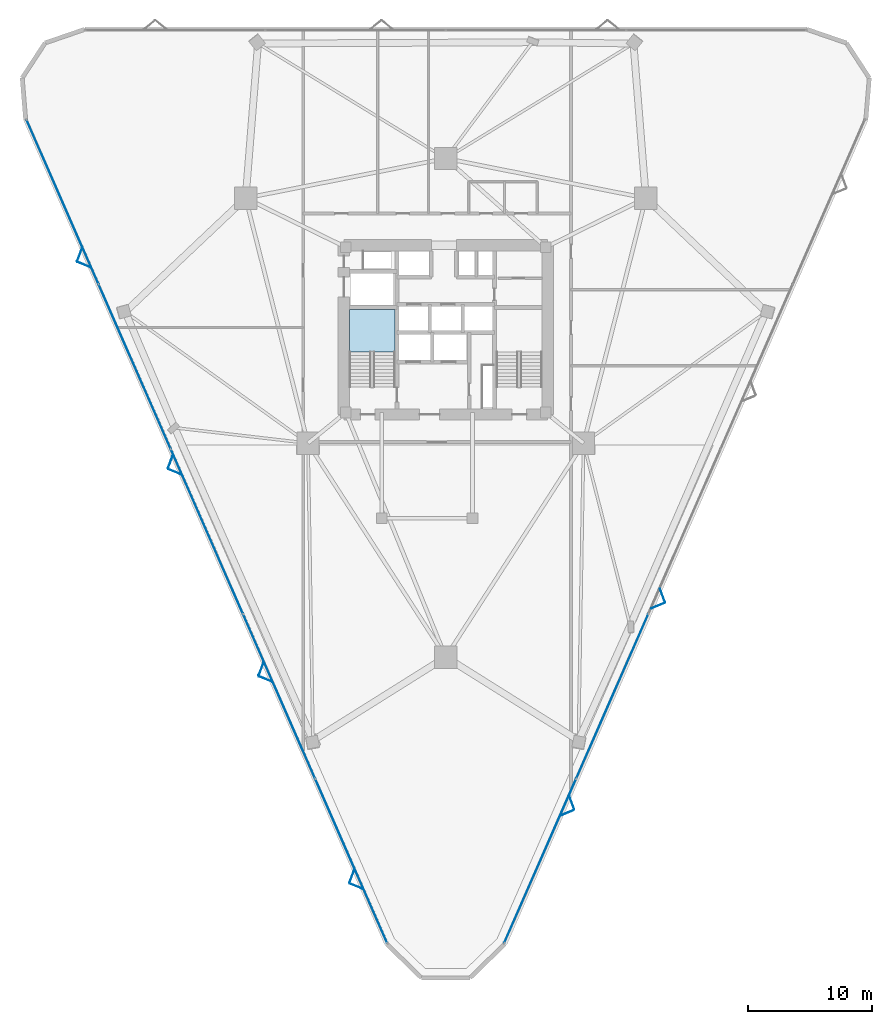
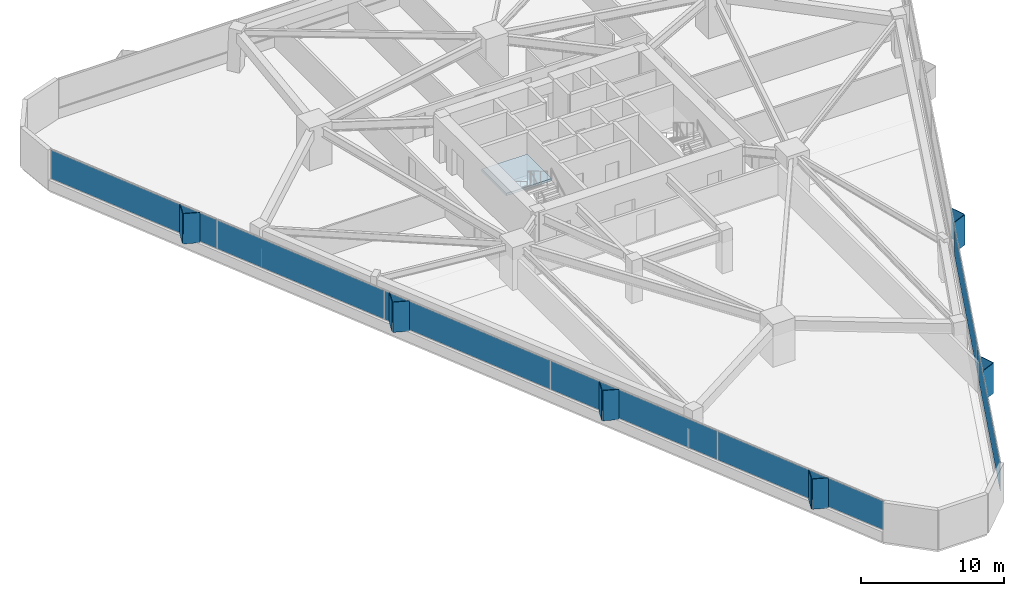
# One storey, part 14 of 21: 19 plates, 1 slab, 3 elements without a shape of their own.
"""IFC4 building model written with IfcOpenShell, lengths in metres."""

from ifc_helpers import new_model, si_unit, direction, frame, origin, origin_2d, place, context, subcontext, project, spatial, polyline, rectangle, outline, extrude, material, layer, layer_set, type_object, element, aggregate, save


model = new_model("IFC4")

# Units and contexts
model_context = context("Model", 3, precision=1e-05, world=origin(), true_north=direction((0.0, 1.0)))
body_context = subcontext(model_context, "Body", "Model", "MODEL_VIEW")
ifc_project = project(units=[si_unit("LENGTHUNIT", "METRE"), si_unit("AREAUNIT", "SQUARE_METRE"), si_unit("VOLUMEUNIT", "CUBIC_METRE"), si_unit("PLANEANGLEUNIT", "RADIAN"), si_unit("MASSUNIT", "GRAM", prefix="KILO")], contexts=[model_context])

# Site, building, storey
site_placement = place(None, origin())
site = spatial("IfcSite", under=ifc_project, at=site_placement, CompositionType="ELEMENT")
building_placement = place(site_placement, origin())
building = spatial("IfcBuilding", under=site, at=building_placement, Name="Talyreon Biosciences Tower", CompositionType="ELEMENT")
storey_placement = place(building_placement, frame((0.0, 0.0, 33.75)))
storey = spatial("IfcBuildingStorey", under=building, at=storey_placement, Name="L08", CompositionType="ELEMENT", Elevation=33.75)

# Curtain wall, plates
ifc_material_1 = material(Name="Thermally broken aluminium and low-E glazing", Category="aluminium")
ifc_layer_1 = layer(ifc_material_1, 0.195068359375)
ifc_layer_set_1 = layer_set([ifc_layer_1], Name="Thermally broken aluminium and low-E glazing")
curtain_wall_type = type_object("IfcCurtainWallType", Name="CurtainWall_Zone1WetLab", PredefinedType="NOTDEFINED", material=ifc_layer_set_1)
curtain_wall_1_placement = place(storey_placement, origin())
curtain_wall_1 = element("IfcCurtainWall", 1, at=curtain_wall_1_placement, inside=storey, type_object=curtain_wall_type, Name="L08 Unitised Curtain Wall FCW-L08-00", PredefinedType="NOTDEFINED")
ifc_material_2 = material(Name="Triple-silver low-E insulated glazing", Category="glass")
ifc_layer_2 = layer(ifc_material_2, 0.031982421875)
ifc_layer_set_2 = layer_set([ifc_layer_2], Name="Triple-silver low-E insulated glazing")
plate_type_1 = type_object("IfcPlateType", Name="CWGlazingPanel_32", PredefinedType="CURTAIN_PANEL", material=ifc_layer_set_2)
plate_1_placement = place(storey_placement, frame((58.399169921875, 25.267822265625, 0.875), z_axis=(0.0, 0.0, 1.0), x_axis=(-0.401222995321, 0.915980408101, 0.0)))
plate_1 = element("IfcPlate", 2, at=plate_1_placement, type_object=plate_type_1, Name="CW2 panel 1.1", PredefinedType="CURTAIN_PANEL", context=body_context, shape_type="SweptSolid", body=[
    extrude(rectangle(XDim=14.38134765625, YDim=0.031982421875, at=origin_2d()), origin(), (0.0, 0.0, 1.0), 2.43505859375),
])
plate_2_placement = place(storey_placement, frame((52.596435546875, 38.51513671875, 0.875), z_axis=(0.0, 0.0, 1.0), x_axis=(-0.401222995321, 0.915980408101, 0.0)))
plate_2 = element("IfcPlate", 3, at=plate_2_placement, type_object=plate_type_1, Name="CW2 panel 2.1", PredefinedType="CURTAIN_PANEL", context=body_context, shape_type="SweptSolid", body=[
    extrude(rectangle(XDim=14.413818359375, YDim=0.031982421875, at=origin_2d()), origin(), (0.0, 0.0, 1.0), 2.43505859375),
])
plate_3_placement = place(storey_placement, frame((46.787109375, 51.777587890625, 0.875), z_axis=(0.0, 0.0, 1.0), x_axis=(-0.401222995321, 0.915980408101, 0.0)))
plate_3 = element("IfcPlate", 4, at=plate_3_placement, type_object=plate_type_1, Name="CW2 panel 3.1", PredefinedType="CURTAIN_PANEL", context=body_context, shape_type="SweptSolid", body=[
    extrude(rectangle(XDim=14.413818359375, YDim=0.031982421875, at=origin_2d()), origin(), (0.0, 0.0, 1.0), 2.43505859375),
])
plate_4_placement = place(storey_placement, frame((40.97802734375, 65.039794921875, 0.875), z_axis=(0.0, 0.0, 1.0), x_axis=(-0.401222995321, 0.915980408101, 0.0)))
plate_4 = element("IfcPlate", 5, at=plate_4_placement, type_object=plate_type_1, Name="CW2 panel 4.1", PredefinedType="CURTAIN_PANEL", context=body_context, shape_type="SweptSolid", body=[
    extrude(rectangle(XDim=14.413818359375, YDim=0.031982421875, at=origin_2d()), origin(), (0.0, 0.0, 1.0), 2.43505859375),
])
plate_5_placement = place(storey_placement, frame((35.17529296875, 78.287109375, 0.875), z_axis=(0.0, 0.0, 1.0), x_axis=(-0.401222995321, 0.915980408101, 0.0)))
plate_5 = element("IfcPlate", 6, at=plate_5_placement, type_object=plate_type_1, Name="CW2 panel 5.1", PredefinedType="CURTAIN_PANEL", context=body_context, shape_type="SweptSolid", body=[
    extrude(rectangle(XDim=14.38134765625, YDim=0.031982421875, at=origin_2d()), origin(), (0.0, 0.0, 1.0), 2.43505859375),
])
aggregate(curtain_wall_1, [plate_1, plate_2, plate_3, plate_4, plate_5])

curtain_wall_2_placement = place(storey_placement, origin())
curtain_wall_2 = element("IfcCurtainWall", 7, at=curtain_wall_2_placement, inside=storey, type_object=curtain_wall_type, Name="L08 Unitised Curtain Wall FCW-L08-08", PredefinedType="NOTDEFINED")
plate_6_placement = place(storey_placement, frame((79.403564453125, 38.51513671875, 0.875), z_axis=(0.0, 0.0, 1.0), x_axis=(-0.401222995321, -0.915980408101, 0.0)))
plate_6 = element("IfcPlate", 8, at=plate_6_placement, type_object=plate_type_1, Name="CW2 panel 4.1", PredefinedType="CURTAIN_PANEL", context=body_context, shape_type="SweptSolid", body=[
    extrude(rectangle(XDim=14.413818359375, YDim=0.031982421875, at=origin_2d()), origin(), (0.0, 0.0, 1.0), 2.43505859375),
])
plate_7_placement = place(storey_placement, frame((73.600830078125, 25.267822265625, 0.875), z_axis=(0.0, 0.0, 1.0), x_axis=(-0.401222995321, -0.915980408101, 0.0)))
plate_7 = element("IfcPlate", 9, at=plate_7_placement, type_object=plate_type_1, Name="CW2 panel 5.1", PredefinedType="CURTAIN_PANEL", context=body_context, shape_type="SweptSolid", body=[
    extrude(rectangle(XDim=14.38134765625, YDim=0.031982421875, at=origin_2d()), origin(), (0.0, 0.0, 1.0), 2.43505859375),
])
aggregate(curtain_wall_2, [plate_6, plate_7])

# Plates
ifc_material_3 = material(Name="Ivory GFRC sunshade panel", Category="concrete")
ifc_layer_3 = layer(ifc_material_3, 0.044921875)
ifc_layer_set_3 = layer_set([ifc_layer_3], Name="Ivory GFRC sunshade panel")
plate_type_2 = type_object("IfcPlateType", Name="FoldedVSunshade_SunFace_SUNSHADE", PredefinedType="USERDEFINED", material=ifc_layer_set_3)
for number, where, z_axis, x_axis, name in (
    (10, (58.812744140625, 23.226806640625, 0.7900390625), (0.0, 0.0, 1.0), (-0.924911408888, 0.380182700434, 0.0), "L08 Folded V-Sunshade Panel 00.01L"),
    (11, (58.45166015625, 24.051025390625, 0.7900390625), (0.0, 0.0, 1.0), (0.347672160741, 0.937616162748, 0.0), "L08 Folded V-Sunshade Panel 00.01R"),
    (12, (51.510498046875, 39.8974609375, 0.7900390625), (0.0, 0.0, 1.0), (-0.924911408888, 0.380182700434, 0.0), "L08 Folded V-Sunshade Panel 00.02L"),
    (13, (51.1494140625, 40.721923828125, 0.7900390625), (0.0, 0.0, 1.0), (0.347672160741, 0.937616162748, 0.0), "L08 Folded V-Sunshade Panel 00.02R"),
    (14, (44.208251953125, 56.568359375, 0.7900390625), (0.0, 0.0, 1.0), (-0.924911408888, 0.380182700434, 0.0), "L08 Folded V-Sunshade Panel 00.03L"),
    (15, (43.84716796875, 57.392578125, 0.7900390625), (0.0, 0.0, 1.0), (0.347672160741, 0.937616162748, 0.0), "L08 Folded V-Sunshade Panel 00.03R"),
    (16, (36.906005859375, 73.2392578125, 0.7900390625), (0.0, 0.0, 1.0), (-0.924911408888, 0.380182700434, 0.0), "L08 Folded V-Sunshade Panel 00.04L"),
    (17, (36.544921875, 74.063720703125, 0.7900390625), (0.0, 0.0, 1.0), (0.347672160741, 0.937616162748, 0.0), "L08 Folded V-Sunshade Panel 00.04R"),
    (18, (83.440185546875, 46.633544921875, 0.7900390625), (0.0, 0.0, 1.0), (0.347672160741, -0.937616162748, 0.0), "L08 Folded V-Sunshade Panel 08.03L"),
    (19, (83.0791015625, 45.80908203125, 0.7900390625), (0.0, 0.0, 1.0), (-0.924911408888, -0.380182700434, 0.0), "L08 Folded V-Sunshade Panel 08.03R"),
    (20, (76.1376953125, 29.962646484375, 0.7900390625), (0.0, 0.0, 1.0), (0.347672160741, -0.937616162748, 0.0), "L08 Folded V-Sunshade Panel 08.04L"),
    (21, (75.776611328125, 29.13818359375, 0.7900390625), (0.0, 0.0, 1.0), (-0.924911408888, -0.380182700434, 0.0), "L08 Folded V-Sunshade Panel 08.04R"),
):
    element("IfcPlate", number, at=place(storey_placement, frame(where, z_axis=z_axis, x_axis=x_axis)), inside=storey, type_object=plate_type_2, Name=name, ObjectType="SUNSHADE", PredefinedType="USERDEFINED", context=body_context, shape_type="SweptSolid", body=[
        extrude(rectangle(XDim=1.14990234375, YDim=0.044921875, at=origin_2d()), origin(), (0.0, 0.0, 1.0), 2.5849609375),
    ])

# Stair, slab
ifc_material_4 = material(Name="Concrete C40/50", Category="concrete")
stair_type = type_object("IfcStairType", Name="DoglegEscapeStair_3650", PredefinedType="HALF_TURN_STAIR", material=ifc_material_4)
stair_placement = place(storey_placement, origin())
stair = element("IfcStair", 22, at=stair_placement, inside=storey, type_object=stair_type, Name="L08 Core Escape Stair 1", PredefinedType="HALF_TURN_STAIR")
ifc_layer_4 = layer(ifc_material_4, 0.199951171875)
ifc_layer_set_4 = layer_set([ifc_layer_4], Name="Concrete C40/50")
slab_type = type_object("IfcSlabType", Name="StairLandingSlab_200", PredefinedType="LANDING", material=ifc_layer_set_4)
slab_placement = place(storey_placement, frame((0.0, 0.0, 1.625)))
slab = element("IfcSlab", 23, at=slab_placement, type_object=slab_type, Name="ST-1 landing 1", PredefinedType="LANDING", context=body_context, shape_type="SweptSolid", body=[
    extrude(outline(polyline([(61.929931640625, 66.199951171875), (61.929931640625, 69.64990234375), (58.25, 69.64990234375), (58.25, 66.199951171875), (61.929931640625, 66.199951171875)])), origin(), (0.0, 0.0, 1.0), 0.199951171875),
])
aggregate(stair, [slab])

save(model, "model.ifc")
